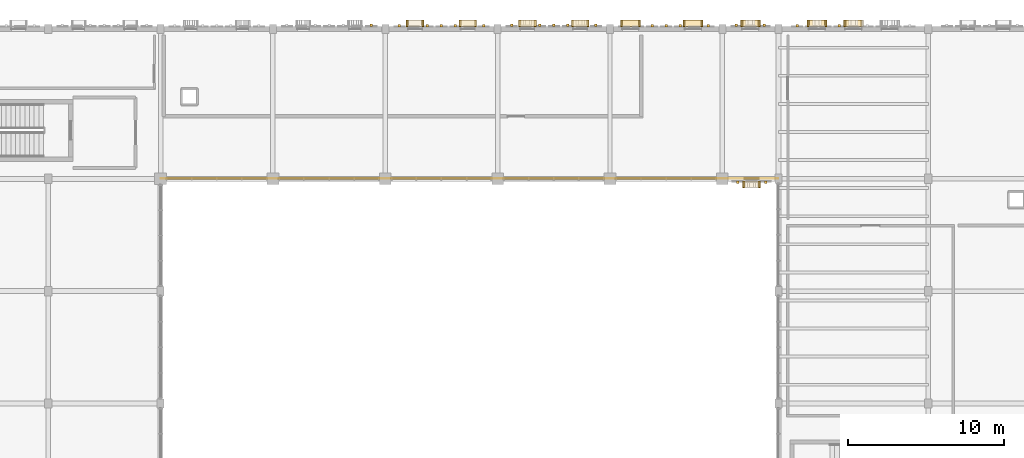
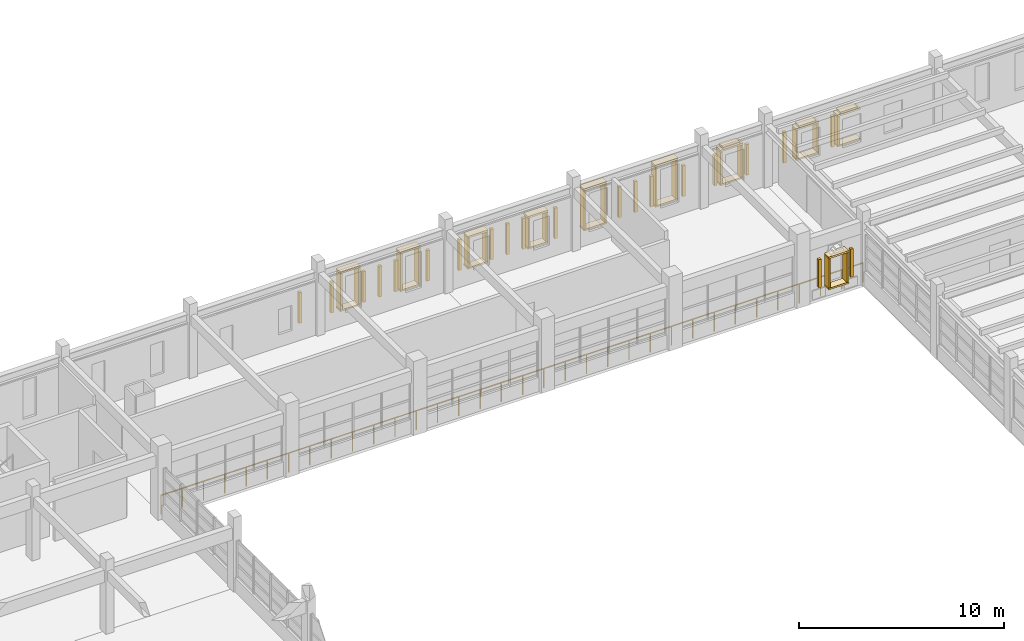
# One storey, part 60 of 69: 63 coverings, 1 railing.
"""IFC4 building model written with IfcOpenShell, lengths in metres."""

from ifc_helpers import new_model, si_unit, direction, frame, origin, origin_2d, place, context, subcontext, project, spatial, rectangle, circle, extrude, material, layer, layer_set, type_object, element, save


model = new_model("IFC4")

# Units and contexts
model_context = context("Model", 3, precision=1e-05, world=origin(), true_north=direction((0.0, 1.0)))
body_context = subcontext(model_context, "Body", "Model", "MODEL_VIEW")
ifc_project = project(units=[si_unit("LENGTHUNIT", "METRE"), si_unit("AREAUNIT", "SQUARE_METRE"), si_unit("VOLUMEUNIT", "CUBIC_METRE"), si_unit("PLANEANGLEUNIT", "RADIAN"), si_unit("MASSUNIT", "GRAM", prefix="KILO")], contexts=[model_context])

# Site, building, storey
site_placement = place(None, origin())
site = spatial("IfcSite", under=ifc_project, at=site_placement, CompositionType="ELEMENT")
building_placement = place(site_placement, origin())
building = spatial("IfcBuilding", under=site, at=building_placement, Name="Nzembalo Square Collegiate School", CompositionType="ELEMENT")
storey_placement = place(building_placement, frame((0.0, 0.0, 5.10009765625)))
storey = spatial("IfcBuildingStorey", under=building, at=storey_placement, Name="L01", CompositionType="ELEMENT", Elevation=5.10009765625)

# Coverings
ifc_material_1 = material(Name="Glazed ochre ceramic lancet rib")
ifc_layer_1 = layer(ifc_material_1, 0.159912109375, Name="Glazed ochre ceramic lancet rib")
ifc_layer_set_1 = layer_set([ifc_layer_1], Name="Glazed ochre ceramic lancet rib")
covering_type_1 = type_object("IfcCoveringType", Name="CL02", PredefinedType="CLADDING", material=ifc_layer_set_1)
for number, where, z_axis, x_axis, name in (
    (1, (104.699951171875, 114.22998046875, 0.760009765625), (0.0, 0.0, 1.0), (1.0, 0.0, 0.0), "Gothic ceramic rib CL02-X0128-6"),
    (2, (106.5, 114.219970703125, 0.760009765625), (0.0, 0.0, 1.0), (1.0, 0.0, 0.0), "Gothic ceramic rib CL02-X0129-0"),
    (3, (108.300048828125, 114.219970703125, 0.760009765625), (0.0, 0.0, 1.0), (1.0, 0.0, 0.0), "Gothic ceramic rib CL02-X0129-2"),
    (4, (109.199951171875, 114.219970703125, 0.760009765625), (0.0, 0.0, 1.0), (1.0, 0.0, 0.0), "Gothic ceramic rib CL02-X0129-3"),
    (5, (110.10009765625, 114.219970703125, 0.760009765625), (0.0, 0.0, 1.0), (1.0, 0.0, 0.0), "Gothic ceramic rib CL02-X0129-4"),
    (6, (111.89990234375, 114.219970703125, 0.760009765625), (0.0, 0.0, 1.0), (1.0, 0.0, 0.0), "Gothic ceramic rib CL02-X0129-6"),
    (7, (113.699951171875, 114.22998046875, 0.760009765625), (0.0, 0.0, 1.0), (1.0, 0.0, 0.0), "Gothic ceramic rib CL02-X0130-0"),
    (8, (115.5, 114.22998046875, 0.760009765625), (0.0, 0.0, 1.0), (1.0, 0.0, 0.0), "Gothic ceramic rib CL02-X0130-2"),
    (9, (116.39990234375, 114.22998046875, 0.760009765625), (0.0, 0.0, 1.0), (1.0, 0.0, 0.0), "Gothic ceramic rib CL02-X0130-3"),
    (10, (117.300048828125, 114.22998046875, 0.760009765625), (0.0, 0.0, 1.0), (1.0, 0.0, 0.0), "Gothic ceramic rib CL02-X0130-4"),
    (11, (119.10009765625, 114.22998046875, 0.760009765625), (0.0, 0.0, 1.0), (1.0, 0.0, 0.0), "Gothic ceramic rib CL02-X0130-6"),
    (12, (122.699951171875, 114.219970703125, 0.760009765625), (0.0, 0.0, 1.0), (1.0, 0.0, 0.0), "Gothic ceramic rib CL02-X0131-2"),
    (13, (123.60009765625, 114.219970703125, 0.760009765625), (0.0, 0.0, 1.0), (1.0, 0.0, 0.0), "Gothic ceramic rib CL02-X0131-3"),
    (14, (124.5, 114.219970703125, 0.760009765625), (0.0, 0.0, 1.0), (1.0, 0.0, 0.0), "Gothic ceramic rib CL02-X0131-4"),
    (15, (126.300048828125, 114.219970703125, 0.760009765625), (0.0, 0.0, 1.0), (1.0, 0.0, 0.0), "Gothic ceramic rib CL02-X0131-6"),
    (16, (128.10009765625, 114.22998046875, 0.760009765625), (0.0, 0.0, 1.0), (1.0, 0.0, 0.0), "Gothic ceramic rib CL02-X0132-0"),
    (17, (129.89990234375, 114.22998046875, 0.760009765625), (0.0, 0.0, 1.0), (1.0, 0.0, 0.0), "Gothic ceramic rib CL02-X0132-2"),
    (18, (132.0, 114.219970703125, 0.760009765625), (0.0, 0.0, 1.0), (1.0, 0.0, 0.0), "Gothic ceramic rib CL02-X0133-0"),
    (19, (134.699951171875, 114.219970703125, 0.760009765625), (0.0, 0.0, 1.0), (1.0, 0.0, 0.0), "Gothic ceramic rib CL02-X0133-3"),
):
    element("IfcCovering", number, at=place(storey_placement, frame(where, z_axis=z_axis, x_axis=x_axis)), inside=storey, type_object=covering_type_1, Name=name, PredefinedType="CLADDING", context=body_context, shape_type="SweptSolid", body=[
        extrude(rectangle(XDim=0.159912109375, YDim=0.159912109375, at=origin_2d()), origin(), (0.0, 0.0, 1.0), 1.833984375),
    ])
for number, where, z_axis, x_axis, name in (
    (20, (128.175048828125, 104.179931640625, 0.759765625), (0.0, 0.0, 1.0), (1.0, 0.0, 0.0), "Gothic ceramic rib CL02-X0143-0"),
    (21, (129.97509765625, 104.179931640625, 0.759765625), (0.0, 0.0, 1.0), (1.0, 0.0, 0.0), "Gothic ceramic rib CL02-X0143-2"),
):
    element("IfcCovering", number, at=place(storey_placement, frame(where, z_axis=z_axis, x_axis=x_axis)), inside=storey, type_object=covering_type_1, Name=name, PredefinedType="CLADDING", context=body_context, shape_type="SweptSolid", body=[
        extrude(rectangle(XDim=0.159912109375, YDim=0.159912109375, at=origin_2d()), origin(), (0.0, 0.0, 1.0), 1.674072265625),
    ])
ifc_material_2 = material(Name="Glazed celadon ceramic window frame")
ifc_layer_2 = layer(ifc_material_2, 0.419921875, Name="Glazed celadon ceramic window frame")
ifc_layer_set_2 = layer_set([ifc_layer_2], Name="Glazed celadon ceramic window frame")
covering_type_2 = type_object("IfcCoveringType", Name="WF01", PredefinedType="CLADDING", material=ifc_layer_set_2)
covering_1_placement = place(storey_placement, frame((107.508544921875, 114.35498046875, 2.90478515625), z_axis=(0.0, 0.0, 1.0), x_axis=(1.0, 0.0, 0.0)))
element("IfcCovering", 22, at=covering_1_placement, inside=storey, type_object=covering_type_2, Name="Deep lancet window hood WF01-0302", PredefinedType="CLADDING", context=body_context, shape_type="SweptSolid", body=[
    extrude(rectangle(XDim=1.139892578125, YDim=0.419921875, at=origin_2d()), origin(), (0.0, 0.0, 1.0), 0.110107421875),
])
covering_2_placement = place(storey_placement, frame((107.508544921875, 114.35498046875, 0.65478515625), z_axis=(0.0, 0.0, 1.0), x_axis=(1.0, 0.0, 0.0)))
element("IfcCovering", 23, at=covering_2_placement, inside=storey, type_object=covering_type_2, Name="Deep lancet window sill WF01-0302", PredefinedType="CLADDING", context=body_context, shape_type="SweptSolid", body=[
    extrude(rectangle(XDim=1.139892578125, YDim=0.419921875, at=origin_2d()), origin(), (0.0, 0.0, 1.0), 0.090087890625),
])
for number, where, z_axis, x_axis, name in (
    (24, (107.00341796875, 114.35498046875, 0.75), (0.0, 0.0, 1.0), (1.0, 0.0, 0.0), "Deep lancet window jamb WF01-0302L"),
    (25, (108.013427734375, 114.35498046875, 0.75), (0.0, 0.0, 1.0), (1.0, 0.0, 0.0), "Deep lancet window jamb WF01-0302R"),
):
    element("IfcCovering", number, at=place(storey_placement, frame(where, z_axis=z_axis, x_axis=x_axis)), inside=storey, type_object=covering_type_2, Name=name, PredefinedType="CLADDING", context=body_context, shape_type="SweptSolid", body=[
        extrude(rectangle(XDim=0.10009765625, YDim=0.419921875, at=origin_2d()), origin(), (0.0, 0.0, 1.0), 2.14990234375),
    ])
covering_3_placement = place(storey_placement, frame((110.8916015625, 114.35498046875, 2.90478515625), z_axis=(0.0, 0.0, 1.0), x_axis=(1.0, 0.0, 0.0)))
element("IfcCovering", 26, at=covering_3_placement, inside=storey, type_object=covering_type_2, Name="Deep lancet window hood WF01-0303", PredefinedType="CLADDING", context=body_context, shape_type="SweptSolid", body=[
    extrude(rectangle(XDim=1.139892578125, YDim=0.419921875, at=origin_2d()), origin(), (0.0, 0.0, 1.0), 0.110107421875),
])
covering_4_placement = place(storey_placement, frame((110.8916015625, 114.35498046875, 0.65478515625), z_axis=(0.0, 0.0, 1.0), x_axis=(1.0, 0.0, 0.0)))
element("IfcCovering", 27, at=covering_4_placement, inside=storey, type_object=covering_type_2, Name="Deep lancet window sill WF01-0303", PredefinedType="CLADDING", context=body_context, shape_type="SweptSolid", body=[
    extrude(rectangle(XDim=1.139892578125, YDim=0.419921875, at=origin_2d()), origin(), (0.0, 0.0, 1.0), 0.090087890625),
])
for number, where, z_axis, x_axis, name in (
    (28, (110.386474609375, 114.35498046875, 0.75), (0.0, 0.0, 1.0), (1.0, 0.0, 0.0), "Deep lancet window jamb WF01-0303L"),
    (29, (111.396484375, 114.35498046875, 0.75), (0.0, 0.0, 1.0), (1.0, 0.0, 0.0), "Deep lancet window jamb WF01-0303R"),
):
    element("IfcCovering", number, at=place(storey_placement, frame(where, z_axis=z_axis, x_axis=x_axis)), inside=storey, type_object=covering_type_2, Name=name, PredefinedType="CLADDING", context=body_context, shape_type="SweptSolid", body=[
        extrude(rectangle(XDim=0.10009765625, YDim=0.419921875, at=origin_2d()), origin(), (0.0, 0.0, 1.0), 2.14990234375),
    ])
covering_5_placement = place(storey_placement, frame((114.70849609375, 114.364990234375, 2.5048828125), z_axis=(0.0, 0.0, 1.0), x_axis=(1.0, 0.0, 0.0)))
element("IfcCovering", 30, at=covering_5_placement, inside=storey, type_object=covering_type_2, Name="Deep lancet window hood WF01-0304", PredefinedType="CLADDING", context=body_context, shape_type="SweptSolid", body=[
    extrude(rectangle(XDim=1.139892578125, YDim=0.419921875, at=origin_2d()), origin(), (0.0, 0.0, 1.0), 0.110107421875),
])
covering_6_placement = place(storey_placement, frame((114.70849609375, 114.364990234375, 0.65478515625), z_axis=(0.0, 0.0, 1.0), x_axis=(1.0, 0.0, 0.0)))
element("IfcCovering", 31, at=covering_6_placement, inside=storey, type_object=covering_type_2, Name="Deep lancet window sill WF01-0304", PredefinedType="CLADDING", context=body_context, shape_type="SweptSolid", body=[
    extrude(rectangle(XDim=1.139892578125, YDim=0.419921875, at=origin_2d()), origin(), (0.0, 0.0, 1.0), 0.090087890625),
])
for number, where, z_axis, x_axis, name in (
    (32, (114.20361328125, 114.364990234375, 0.75), (0.0, 0.0, 1.0), (1.0, 0.0, 0.0), "Deep lancet window jamb WF01-0304L"),
    (33, (115.21337890625, 114.364990234375, 0.75), (0.0, 0.0, 1.0), (1.0, 0.0, 0.0), "Deep lancet window jamb WF01-0304R"),
):
    element("IfcCovering", number, at=place(storey_placement, frame(where, z_axis=z_axis, x_axis=x_axis)), inside=storey, type_object=covering_type_2, Name=name, PredefinedType="CLADDING", context=body_context, shape_type="SweptSolid", body=[
        extrude(rectangle(XDim=0.10009765625, YDim=0.419921875, at=origin_2d()), origin(), (0.0, 0.0, 1.0), 1.75),
    ])
covering_7_placement = place(storey_placement, frame((118.091552734375, 114.364990234375, 2.5048828125), z_axis=(0.0, 0.0, 1.0), x_axis=(1.0, 0.0, 0.0)))
element("IfcCovering", 34, at=covering_7_placement, inside=storey, type_object=covering_type_2, Name="Deep lancet window hood WF01-0305", PredefinedType="CLADDING", context=body_context, shape_type="SweptSolid", body=[
    extrude(rectangle(XDim=1.139892578125, YDim=0.419921875, at=origin_2d()), origin(), (0.0, 0.0, 1.0), 0.110107421875),
])
covering_8_placement = place(storey_placement, frame((118.091552734375, 114.364990234375, 0.65478515625), z_axis=(0.0, 0.0, 1.0), x_axis=(1.0, 0.0, 0.0)))
element("IfcCovering", 35, at=covering_8_placement, inside=storey, type_object=covering_type_2, Name="Deep lancet window sill WF01-0305", PredefinedType="CLADDING", context=body_context, shape_type="SweptSolid", body=[
    extrude(rectangle(XDim=1.139892578125, YDim=0.419921875, at=origin_2d()), origin(), (0.0, 0.0, 1.0), 0.090087890625),
])
for number, where, z_axis, x_axis, name in (
    (36, (117.58642578125, 114.364990234375, 0.75), (0.0, 0.0, 1.0), (1.0, 0.0, 0.0), "Deep lancet window jamb WF01-0305L"),
    (37, (118.596435546875, 114.364990234375, 0.75), (0.0, 0.0, 1.0), (1.0, 0.0, 0.0), "Deep lancet window jamb WF01-0305R"),
):
    element("IfcCovering", number, at=place(storey_placement, frame(where, z_axis=z_axis, x_axis=x_axis)), inside=storey, type_object=covering_type_2, Name=name, PredefinedType="CLADDING", context=body_context, shape_type="SweptSolid", body=[
        extrude(rectangle(XDim=0.10009765625, YDim=0.419921875, at=origin_2d()), origin(), (0.0, 0.0, 1.0), 1.75),
    ])
covering_9_placement = place(storey_placement, frame((121.31494140625, 114.35498046875, 3.0546875), z_axis=(0.0, 0.0, 1.0), x_axis=(1.0, 0.0, 0.0)))
element("IfcCovering", 38, at=covering_9_placement, inside=storey, type_object=covering_type_2, Name="Deep lancet window hood WF01-0306", PredefinedType="CLADDING", context=body_context, shape_type="SweptSolid", body=[
    extrude(rectangle(XDim=1.2900390625, YDim=0.419921875, at=origin_2d()), origin(), (0.0, 0.0, 1.0), 0.110107421875),
])
covering_10_placement = place(storey_placement, frame((121.31494140625, 114.35498046875, 0.65478515625), z_axis=(0.0, 0.0, 1.0), x_axis=(1.0, 0.0, 0.0)))
element("IfcCovering", 39, at=covering_10_placement, inside=storey, type_object=covering_type_2, Name="Deep lancet window sill WF01-0306", PredefinedType="CLADDING", context=body_context, shape_type="SweptSolid", body=[
    extrude(rectangle(XDim=1.2900390625, YDim=0.419921875, at=origin_2d()), origin(), (0.0, 0.0, 1.0), 0.090087890625),
])
for number, where, z_axis, x_axis, name in (
    (40, (120.735107421875, 114.35498046875, 0.75), (0.0, 0.0, 1.0), (1.0, 0.0, 0.0), "Deep lancet window jamb WF01-0306L"),
    (41, (121.89501953125, 114.35498046875, 0.75), (0.0, 0.0, 1.0), (1.0, 0.0, 0.0), "Deep lancet window jamb WF01-0306R"),
):
    element("IfcCovering", number, at=place(storey_placement, frame(where, z_axis=z_axis, x_axis=x_axis)), inside=storey, type_object=covering_type_2, Name=name, PredefinedType="CLADDING", context=body_context, shape_type="SweptSolid", body=[
        extrude(rectangle(XDim=0.10009765625, YDim=0.419921875, at=origin_2d()), origin(), (0.0, 0.0, 1.0), 2.300048828125),
    ])
covering_11_placement = place(storey_placement, frame((125.3291015625, 114.35498046875, 3.0546875), z_axis=(0.0, 0.0, 1.0), x_axis=(1.0, 0.0, 0.0)))
element("IfcCovering", 42, at=covering_11_placement, inside=storey, type_object=covering_type_2, Name="Deep lancet window hood WF01-0307", PredefinedType="CLADDING", context=body_context, shape_type="SweptSolid", body=[
    extrude(rectangle(XDim=1.2900390625, YDim=0.419921875, at=origin_2d()), origin(), (0.0, 0.0, 1.0), 0.110107421875),
])
covering_12_placement = place(storey_placement, frame((125.3291015625, 114.35498046875, 0.65478515625), z_axis=(0.0, 0.0, 1.0), x_axis=(1.0, 0.0, 0.0)))
element("IfcCovering", 43, at=covering_12_placement, inside=storey, type_object=covering_type_2, Name="Deep lancet window sill WF01-0307", PredefinedType="CLADDING", context=body_context, shape_type="SweptSolid", body=[
    extrude(rectangle(XDim=1.2900390625, YDim=0.419921875, at=origin_2d()), origin(), (0.0, 0.0, 1.0), 0.090087890625),
])
for number, where, z_axis, x_axis, name in (
    (44, (124.7490234375, 114.35498046875, 0.75), (0.0, 0.0, 1.0), (1.0, 0.0, 0.0), "Deep lancet window jamb WF01-0307L"),
    (45, (125.908935546875, 114.35498046875, 0.75), (0.0, 0.0, 1.0), (1.0, 0.0, 0.0), "Deep lancet window jamb WF01-0307R"),
):
    element("IfcCovering", number, at=place(storey_placement, frame(where, z_axis=z_axis, x_axis=x_axis)), inside=storey, type_object=covering_type_2, Name=name, PredefinedType="CLADDING", context=body_context, shape_type="SweptSolid", body=[
        extrude(rectangle(XDim=0.10009765625, YDim=0.419921875, at=origin_2d()), origin(), (0.0, 0.0, 1.0), 2.300048828125),
    ])
covering_13_placement = place(storey_placement, frame((129.0, 114.364990234375, 2.65478515625), z_axis=(0.0, 0.0, 1.0), x_axis=(1.0, 0.0, 0.0)))
element("IfcCovering", 46, at=covering_13_placement, inside=storey, type_object=covering_type_2, Name="Deep lancet window hood WF01-0308", PredefinedType="CLADDING", context=body_context, shape_type="SweptSolid", body=[
    extrude(rectangle(XDim=1.2900390625, YDim=0.419921875, at=origin_2d()), origin(), (0.0, 0.0, 1.0), 0.110107421875),
])
covering_14_placement = place(storey_placement, frame((129.0, 114.364990234375, 2.759765625), z_axis=(0.0, 0.0, 1.0), x_axis=(1.0, 0.0, 0.0)))
element("IfcCovering", 47, at=covering_14_placement, inside=storey, type_object=covering_type_2, Name="Pointed lancet gable WF01-0308-1", PredefinedType="CLADDING", context=body_context, shape_type="SweptSolid", body=[
    extrude(rectangle(XDim=0.949951171875, YDim=0.419921875, at=origin_2d()), origin(), (0.0, 0.0, 1.0), 0.1201171875),
])
covering_15_placement = place(storey_placement, frame((129.0, 114.364990234375, 0.65478515625), z_axis=(0.0, 0.0, 1.0), x_axis=(1.0, 0.0, 0.0)))
element("IfcCovering", 48, at=covering_15_placement, inside=storey, type_object=covering_type_2, Name="Deep lancet window sill WF01-0308", PredefinedType="CLADDING", context=body_context, shape_type="SweptSolid", body=[
    extrude(rectangle(XDim=1.2900390625, YDim=0.419921875, at=origin_2d()), origin(), (0.0, 0.0, 1.0), 0.090087890625),
])
for number, where, z_axis, x_axis, name in (
    (49, (128.419921875, 114.364990234375, 0.75), (0.0, 0.0, 1.0), (1.0, 0.0, 0.0), "Deep lancet window jamb WF01-0308L"),
    (50, (129.580078125, 114.364990234375, 0.75), (0.0, 0.0, 1.0), (1.0, 0.0, 0.0), "Deep lancet window jamb WF01-0308R"),
):
    element("IfcCovering", number, at=place(storey_placement, frame(where, z_axis=z_axis, x_axis=x_axis)), inside=storey, type_object=covering_type_2, Name=name, PredefinedType="CLADDING", context=body_context, shape_type="SweptSolid", body=[
        extrude(rectangle(XDim=0.10009765625, YDim=0.419921875, at=origin_2d()), origin(), (0.0, 0.0, 1.0), 1.89990234375),
    ])
covering_16_placement = place(storey_placement, frame((133.27099609375, 114.35498046875, 2.455078125), z_axis=(0.0, 0.0, 1.0), x_axis=(1.0, 0.0, 0.0)))
element("IfcCovering", 51, at=covering_16_placement, inside=storey, type_object=covering_type_2, Name="Deep lancet window hood WF01-0309", PredefinedType="CLADDING", context=body_context, shape_type="SweptSolid", body=[
    extrude(rectangle(XDim=1.2900390625, YDim=0.419921875, at=origin_2d()), origin(), (0.0, 0.0, 1.0), 0.110107421875),
])
covering_17_placement = place(storey_placement, frame((133.27099609375, 114.35498046875, 2.559814453125), z_axis=(0.0, 0.0, 1.0), x_axis=(1.0, 0.0, 0.0)))
element("IfcCovering", 52, at=covering_17_placement, inside=storey, type_object=covering_type_2, Name="Pointed lancet gable WF01-0309-1", PredefinedType="CLADDING", context=body_context, shape_type="SweptSolid", body=[
    extrude(rectangle(XDim=0.949951171875, YDim=0.419921875, at=origin_2d()), origin(), (0.0, 0.0, 1.0), 0.1201171875),
])
covering_18_placement = place(storey_placement, frame((133.27099609375, 114.35498046875, 0.65478515625), z_axis=(0.0, 0.0, 1.0), x_axis=(1.0, 0.0, 0.0)))
element("IfcCovering", 53, at=covering_18_placement, inside=storey, type_object=covering_type_2, Name="Deep lancet window sill WF01-0309", PredefinedType="CLADDING", context=body_context, shape_type="SweptSolid", body=[
    extrude(rectangle(XDim=1.2900390625, YDim=0.419921875, at=origin_2d()), origin(), (0.0, 0.0, 1.0), 0.090087890625),
])
for number, where, z_axis, x_axis, name in (
    (54, (132.69091796875, 114.35498046875, 0.75), (0.0, 0.0, 1.0), (1.0, 0.0, 0.0), "Deep lancet window jamb WF01-0309L"),
    (55, (133.85107421875, 114.35498046875, 0.75), (0.0, 0.0, 1.0), (1.0, 0.0, 0.0), "Deep lancet window jamb WF01-0309R"),
):
    element("IfcCovering", number, at=place(storey_placement, frame(where, z_axis=z_axis, x_axis=x_axis)), inside=storey, type_object=covering_type_2, Name=name, PredefinedType="CLADDING", context=body_context, shape_type="SweptSolid", body=[
        extrude(rectangle(XDim=0.10009765625, YDim=0.419921875, at=origin_2d()), origin(), (0.0, 0.0, 1.0), 1.699951171875),
    ])
covering_19_placement = place(storey_placement, frame((135.60009765625, 114.35498046875, 2.455078125), z_axis=(0.0, 0.0, 1.0), x_axis=(1.0, 0.0, 0.0)))
element("IfcCovering", 56, at=covering_19_placement, inside=storey, type_object=covering_type_2, Name="Deep lancet window hood WF01-0310", PredefinedType="CLADDING", context=body_context, shape_type="SweptSolid", body=[
    extrude(rectangle(XDim=1.2900390625, YDim=0.419921875, at=origin_2d()), origin(), (0.0, 0.0, 1.0), 0.110107421875),
])
covering_20_placement = place(storey_placement, frame((135.60009765625, 114.35498046875, 2.559814453125), z_axis=(0.0, 0.0, 1.0), x_axis=(1.0, 0.0, 0.0)))
element("IfcCovering", 57, at=covering_20_placement, inside=storey, type_object=covering_type_2, Name="Pointed lancet gable WF01-0310-1", PredefinedType="CLADDING", context=body_context, shape_type="SweptSolid", body=[
    extrude(rectangle(XDim=0.949951171875, YDim=0.419921875, at=origin_2d()), origin(), (0.0, 0.0, 1.0), 0.1201171875),
])
covering_21_placement = place(storey_placement, frame((135.60009765625, 114.35498046875, 0.65478515625), z_axis=(0.0, 0.0, 1.0), x_axis=(1.0, 0.0, 0.0)))
element("IfcCovering", 58, at=covering_21_placement, inside=storey, type_object=covering_type_2, Name="Deep lancet window sill WF01-0310", PredefinedType="CLADDING", context=body_context, shape_type="SweptSolid", body=[
    extrude(rectangle(XDim=1.2900390625, YDim=0.419921875, at=origin_2d()), origin(), (0.0, 0.0, 1.0), 0.090087890625),
])
covering_22_placement = place(storey_placement, frame((135.02001953125, 114.35498046875, 0.75), z_axis=(0.0, 0.0, 1.0), x_axis=(1.0, 0.0, 0.0)))
element("IfcCovering", 59, at=covering_22_placement, inside=storey, type_object=covering_type_2, Name="Deep lancet window jamb WF01-0310L", PredefinedType="CLADDING", context=body_context, shape_type="SweptSolid", body=[
    extrude(rectangle(XDim=0.10009765625, YDim=0.419921875, at=origin_2d()), origin(), (0.0, 0.0, 1.0), 1.699951171875),
])
covering_23_placement = place(storey_placement, frame((129.074951171875, 104.044921875, 2.5048828125), z_axis=(0.0, 0.0, 1.0), x_axis=(1.0, 0.0, 0.0)))
element("IfcCovering", 60, at=covering_23_placement, inside=storey, type_object=covering_type_2, Name="Deep lancet window hood WF01-0378", PredefinedType="CLADDING", context=body_context, shape_type="SweptSolid", body=[
    extrude(rectangle(XDim=1.139892578125, YDim=0.419921875, at=origin_2d()), origin(), (0.0, 0.0, 1.0), 0.110107421875),
])
covering_24_placement = place(storey_placement, frame((129.074951171875, 104.044921875, 0.65478515625), z_axis=(0.0, 0.0, 1.0), x_axis=(1.0, 0.0, 0.0)))
element("IfcCovering", 61, at=covering_24_placement, inside=storey, type_object=covering_type_2, Name="Deep lancet window sill WF01-0378", PredefinedType="CLADDING", context=body_context, shape_type="SweptSolid", body=[
    extrude(rectangle(XDim=1.139892578125, YDim=0.419921875, at=origin_2d()), origin(), (0.0, 0.0, 1.0), 0.090087890625),
])
for number, where, z_axis, x_axis, name in (
    (62, (128.570068359375, 104.044921875, 0.75), (0.0, 0.0, 1.0), (1.0, 0.0, 0.0), "Deep lancet window jamb WF01-0378L"),
    (63, (129.580078125, 104.044921875, 0.75), (0.0, 0.0, 1.0), (1.0, 0.0, 0.0), "Deep lancet window jamb WF01-0378R"),
):
    element("IfcCovering", number, at=place(storey_placement, frame(where, z_axis=z_axis, x_axis=x_axis)), inside=storey, type_object=covering_type_2, Name=name, PredefinedType="CLADDING", context=body_context, shape_type="SweptSolid", body=[
        extrude(rectangle(XDim=0.10009765625, YDim=0.419921875, at=origin_2d()), origin(), (0.0, 0.0, 1.0), 1.75),
    ])

# Railing
ifc_material_3 = material(Name="Steel S355", Category="steel")
railing_type = type_object("IfcRailingType", Name="BL01", PredefinedType="BALUSTRADE", material=ifc_material_3)
railing_placement = place(storey_placement, frame((91.219970703125, 104.419921875, 0.0)))
element("IfcRailing", 64, at=railing_placement, inside=storey, type_object=railing_type, Name="Terrace balustrade BL-05A", PredefinedType="BALUSTRADE", context=body_context, shape_type="SweptSolid", body=[
    extrude(circle(Radius=0.02392578125, at=origin_2d()), frame((0.0, 0.0, 1.1259765625), z_axis=(1.0, 0.0, 0.0), x_axis=(0.0, 1.0, 0.0)), (0.0, 0.0, 1.0), 39.56005859375),
    extrude(circle(Radius=0.02099609375, at=origin_2d()), origin(), (0.0, 0.0, 1.0), 1.101806640625),
    extrude(circle(Radius=0.02099609375, at=origin_2d()), frame((1.19873046875, 0.0, 0.0)), (0.0, 0.0, 1.0), 1.101806640625),
    extrude(circle(Radius=0.02099609375, at=origin_2d()), frame((2.3974609375, 0.0, 0.0)), (0.0, 0.0, 1.0), 1.101806640625),
    extrude(circle(Radius=0.02099609375, at=origin_2d()), frame((3.596435546875, 0.0, 0.0)), (0.0, 0.0, 1.0), 1.101806640625),
    extrude(circle(Radius=0.02099609375, at=origin_2d()), frame((4.795166015625, 0.0, 0.0)), (0.0, 0.0, 1.0), 1.101806640625),
    extrude(circle(Radius=0.02099609375, at=origin_2d()), frame((5.993896484375, 0.0, 0.0)), (0.0, 0.0, 1.0), 1.101806640625),
    extrude(circle(Radius=0.02099609375, at=origin_2d()), frame((7.192626953125, 0.0, 0.0)), (0.0, 0.0, 1.0), 1.101806640625),
    extrude(circle(Radius=0.02099609375, at=origin_2d()), frame((8.3916015625, 0.0, 0.0)), (0.0, 0.0, 1.0), 1.101806640625),
    extrude(circle(Radius=0.02099609375, at=origin_2d()), frame((9.59033203125, 0.0, 0.0)), (0.0, 0.0, 1.0), 1.101806640625),
    extrude(circle(Radius=0.02099609375, at=origin_2d()), frame((10.7890625, 0.0, 0.0)), (0.0, 0.0, 1.0), 1.101806640625),
    extrude(circle(Radius=0.02099609375, at=origin_2d()), frame((11.98779296875, 0.0, 0.0)), (0.0, 0.0, 1.0), 1.101806640625),
    extrude(circle(Radius=0.02099609375, at=origin_2d()), frame((13.186767578125, 0.0, 0.0)), (0.0, 0.0, 1.0), 1.101806640625),
    extrude(circle(Radius=0.02099609375, at=origin_2d()), frame((14.385498046875, 0.0, 0.0)), (0.0, 0.0, 1.0), 1.101806640625),
    extrude(circle(Radius=0.02099609375, at=origin_2d()), frame((15.584228515625, 0.0, 0.0)), (0.0, 0.0, 1.0), 1.101806640625),
    extrude(circle(Radius=0.02099609375, at=origin_2d()), frame((16.782958984375, 0.0, 0.0)), (0.0, 0.0, 1.0), 1.101806640625),
    extrude(circle(Radius=0.02099609375, at=origin_2d()), frame((17.98193359375, 0.0, 0.0)), (0.0, 0.0, 1.0), 1.101806640625),
    extrude(circle(Radius=0.02099609375, at=origin_2d()), frame((19.1806640625, 0.0, 0.0)), (0.0, 0.0, 1.0), 1.101806640625),
    extrude(circle(Radius=0.02099609375, at=origin_2d()), frame((20.37939453125, 0.0, 0.0)), (0.0, 0.0, 1.0), 1.101806640625),
    extrude(circle(Radius=0.02099609375, at=origin_2d()), frame((21.578125, 0.0, 0.0)), (0.0, 0.0, 1.0), 1.101806640625),
    extrude(circle(Radius=0.02099609375, at=origin_2d()), frame((22.777099609375, 0.0, 0.0)), (0.0, 0.0, 1.0), 1.101806640625),
    extrude(circle(Radius=0.02099609375, at=origin_2d()), frame((23.975830078125, 0.0, 0.0)), (0.0, 0.0, 1.0), 1.101806640625),
    extrude(circle(Radius=0.02099609375, at=origin_2d()), frame((25.174560546875, 0.0, 0.0)), (0.0, 0.0, 1.0), 1.101806640625),
    extrude(circle(Radius=0.02099609375, at=origin_2d()), frame((26.373291015625, 0.0, 0.0)), (0.0, 0.0, 1.0), 1.101806640625),
    extrude(circle(Radius=0.02099609375, at=origin_2d()), frame((27.572265625, 0.0, 0.0)), (0.0, 0.0, 1.0), 1.101806640625),
    extrude(circle(Radius=0.02099609375, at=origin_2d()), frame((28.77099609375, 0.0, 0.0)), (0.0, 0.0, 1.0), 1.101806640625),
    extrude(circle(Radius=0.02099609375, at=origin_2d()), frame((29.9697265625, 0.0, 0.0)), (0.0, 0.0, 1.0), 1.101806640625),
    extrude(circle(Radius=0.02099609375, at=origin_2d()), frame((31.16845703125, 0.0, 0.0)), (0.0, 0.0, 1.0), 1.101806640625),
    extrude(circle(Radius=0.02099609375, at=origin_2d()), frame((32.367431640625, 0.0, 0.0)), (0.0, 0.0, 1.0), 1.101806640625),
    extrude(circle(Radius=0.02099609375, at=origin_2d()), frame((33.566162109375, 0.0, 0.0)), (0.0, 0.0, 1.0), 1.101806640625),
    extrude(circle(Radius=0.02099609375, at=origin_2d()), frame((34.764892578125, 0.0, 0.0)), (0.0, 0.0, 1.0), 1.101806640625),
    extrude(circle(Radius=0.02099609375, at=origin_2d()), frame((35.963623046875, 0.0, 0.0)), (0.0, 0.0, 1.0), 1.101806640625),
    extrude(circle(Radius=0.02099609375, at=origin_2d()), frame((37.16259765625, 0.0, 0.0)), (0.0, 0.0, 1.0), 1.101806640625),
    extrude(circle(Radius=0.02099609375, at=origin_2d()), frame((38.361328125, 0.0, 0.0)), (0.0, 0.0, 1.0), 1.101806640625),
    extrude(circle(Radius=0.02099609375, at=origin_2d()), frame((39.56005859375, 0.0, 0.0)), (0.0, 0.0, 1.0), 1.101806640625),
])

save(model, "model.ifc")
